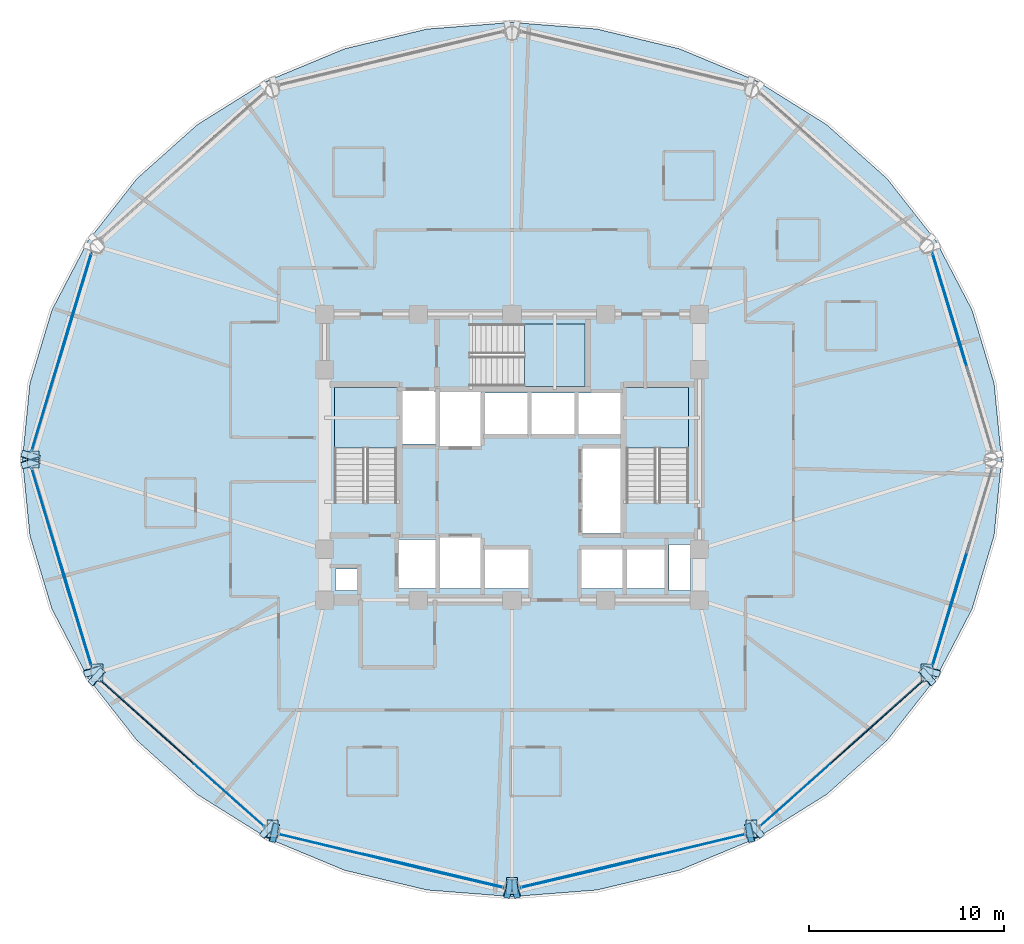
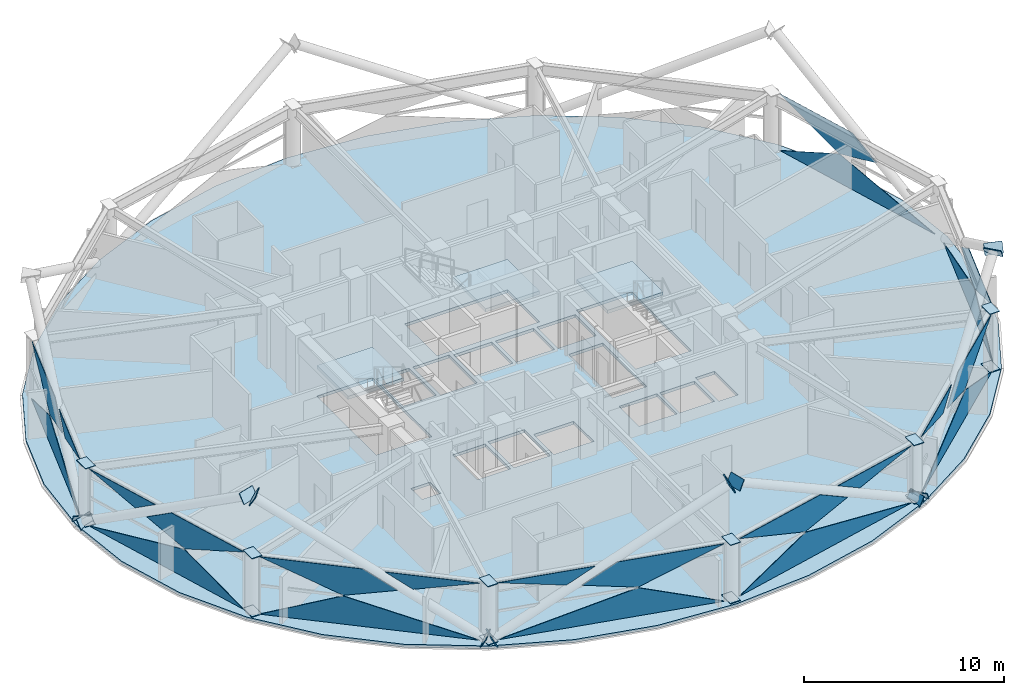
# One storey, part 20 of 29: 46 plates, 4 slabs, 11 elements without a shape of their own.
"""IFC4 building model written with IfcOpenShell, lengths in metres."""

from ifc_helpers import new_model, si_unit, direction, frame, origin, place, context, subcontext, project, spatial, polyline, outline, extrude, material, layer, layer_set, type_object, element, aggregate, save


model = new_model("IFC4")

# Units and contexts
model_context = context("Model", 3, precision=1e-05, world=origin(), true_north=direction((0.0, 1.0)))
body_context = subcontext(model_context, "Body", "Model", "MODEL_VIEW")
ifc_project = project(units=[si_unit("LENGTHUNIT", "METRE"), si_unit("AREAUNIT", "SQUARE_METRE"), si_unit("VOLUMEUNIT", "CUBIC_METRE"), si_unit("PLANEANGLEUNIT", "RADIAN"), si_unit("MASSUNIT", "GRAM", prefix="KILO")], contexts=[model_context])

# Site, building, storey
site_placement = place(None, origin())
site = spatial("IfcSite", under=ifc_project, at=site_placement, CompositionType="ELEMENT")
building_placement = place(site_placement, origin())
building = spatial("IfcBuilding", under=site, at=building_placement, Name="Vantalir Tower", CompositionType="ELEMENT")
storey_placement = place(building_placement, frame((0.0, 0.0, 164.699951171875)))
storey = spatial("IfcBuildingStorey", under=building, at=storey_placement, Name="L41", CompositionType="ELEMENT", Elevation=164.699951171875)

# Curtain wall, plates
ifc_material_1 = material(Name="Champagne-silver PVDF aluminium and double-silver Low-E glass", Category="aluminium")
ifc_layer_1 = layer(ifc_material_1, 0.199951171875)
ifc_layer_set_1 = layer_set([ifc_layer_1], Name="Champagne-silver PVDF aluminium and double-silver Low-E glass")
curtain_wall_type = type_object("IfcCurtainWallType", Name="CW-DIAMOND-Z2", PredefinedType="USERDEFINED", material=ifc_layer_set_1)
curtain_wall_1_placement = place(storey_placement, origin())
curtain_wall_1 = element("IfcCurtainWall", 1, at=curtain_wall_1_placement, inside=storey, type_object=curtain_wall_type, Name="L41 Quilted Pyramid-Diamond Curtain Wall S01", ObjectType="UNITISED CURTAIN WALL", PredefinedType="USERDEFINED")
ifc_material_2 = material(Name="Double-silver Low-E laminated glass IGU", Category="glass")
ifc_layer_2 = layer(ifc_material_2, 0.028076171875)
ifc_layer_set_2 = layer_set([ifc_layer_2], Name="Double-silver Low-E laminated glass IGU")
plate_type_1 = type_object("IfcPlateType", Name="CWP-IGU-28", PredefinedType="CURTAIN_PANEL", material=ifc_layer_set_2)
plate_1_placement = place(storey_placement, frame((56.094970703125, 25.435546875, 0.046630859375), z_axis=(-0.9575616815, -0.287895447824, 0.013850532299), x_axis=(-0.287922760632, 0.957653634348, 2.303935e-05)))
plate_1 = element("IfcPlate", 2, at=plate_1_placement, type_object=plate_type_1, Name="CW-L41-S01 Pyramid Diamond Facet 1L", PredefinedType="CURTAIN_PANEL", context=body_context, shape_type="SweptSolid", body=[
    extrude(outline(polyline([(0.0, 0.0), (10.596680109363113, 4.336808689942018e-19), (6.564597551458206, -1.7263327111685152), (0.0, 0.0)])), origin(), (0.0, 0.0, -1.0), 0.028076171875),
])
plate_2_placement = place(storey_placement, frame((54.4775390625, 30.815673828125, 3.5234375), z_axis=(0.957559378683, 0.287906250177, 0.013785042783), x_axis=(-0.287932963869, 0.957650565672, -4.8847004e-05)))
plate_2 = element("IfcPlate", 3, at=plate_2_placement, type_object=plate_type_1, Name="CW-L41-S01 Pyramid Diamond Facet 2U", PredefinedType="CURTAIN_PANEL", context=body_context, shape_type="SweptSolid", body=[
    extrude(outline(polyline([(0.0, 0.0), (4.978686599045658, 2.168404344971009e-19), (0.9466483362744519, -1.7264361633851297), (-1.6687180339326448, -1.0387534856673015), (0.0, 0.0)])), origin(), (0.0, 0.0, -1.0), 0.028076171875),
])
aggregate(curtain_wall_1, [plate_1, plate_2])

curtain_wall_2_placement = place(storey_placement, origin())
curtain_wall_2 = element("IfcCurtainWall", 4, at=curtain_wall_2_placement, inside=storey, type_object=curtain_wall_type, Name="L41 Quilted Pyramid-Diamond Curtain Wall S06", ObjectType="UNITISED CURTAIN WALL", PredefinedType="USERDEFINED")
plate_3_placement = place(storey_placement, frame((9.9560546875, 35.58349609375, 0.046875), z_axis=(0.9575616815, -0.287895447824, 0.013850532299), x_axis=(-0.287922760632, -0.957653634348, -2.303935e-05)))
plate_3 = element("IfcPlate", 5, at=plate_3_placement, type_object=plate_type_1, Name="CW-L41-S06 Pyramid Diamond Facet 1L", PredefinedType="CURTAIN_PANEL", context=body_context, shape_type="SweptSolid", body=[
    extrude(outline(polyline([(0.0, 0.0), (10.596680109363113, -4.336808689942018e-19), (4.032082557904906, -1.7263327111685152), (0.0, 0.0)])), origin(), (0.0, 0.0, -1.0), 0.028076171875),
])
plate_4_placement = place(storey_placement, frame((9.9560546875, 35.58349609375, 3.523193359375), z_axis=(-0.957559378683, 0.287906250177, 0.013785042783), x_axis=(-0.287932963869, -0.957650565672, 4.8847004e-05)))
plate_4 = element("IfcPlate", 6, at=plate_4_placement, type_object=plate_type_1, Name="CW-L41-S06 Pyramid Diamond Facet 2U", PredefinedType="CURTAIN_PANEL", context=body_context, shape_type="SweptSolid", body=[
    extrude(outline(polyline([(0.0, 0.0), (4.978686599045658, -2.168404344971009e-19), (6.647404632978303, -1.0387534856673015), (4.032038262771207, -1.7264361633851297), (0.0, 0.0)])), origin(), (0.0, 0.0, -1.0), 0.028076171875),
])
plate_5_placement = place(storey_placement, frame((8.181396484375, 29.7919921875, 3.52392578125), z_axis=(-0.9575541234, 0.28792231701, 0.013814489769), x_axis=(-0.287949794509, -0.957645506355, 0.0)))
plate_5 = element("IfcPlate", 7, at=plate_5_placement, type_object=plate_type_1, Name="CW-L41-S06 Pyramid Diamond Facet 2U Infill Light", PredefinedType="CURTAIN_PANEL", context=body_context, shape_type="SweptSolid", body=[
    extrude(outline(polyline([(0.0, 0.0), (4.539433370595973, 3.469446951953614e-18), (1.3485409070670233, -0.8391914076434289), (0.0, 0.0)])), origin(), (0.0, 0.0, -1.0), 0.028076171875),
])
aggregate(curtain_wall_2, [plate_3, plate_4, plate_5])

curtain_wall_3_placement = place(storey_placement, origin())
curtain_wall_3 = element("IfcCurtainWall", 8, at=curtain_wall_3_placement, inside=storey, type_object=curtain_wall_type, Name="L41 Quilted Pyramid-Diamond Curtain Wall S07", ObjectType="UNITISED CURTAIN WALL", PredefinedType="USERDEFINED")
plate_6_placement = place(storey_placement, frame((6.905029296875, 24.564453125, 0.046630859375), z_axis=(0.9575616815, 0.287895447824, 0.013850532299), x_axis=(0.287922760632, -0.957653634348, 2.303935e-05)))
plate_6 = element("IfcPlate", 9, at=plate_6_placement, type_object=plate_type_1, Name="CW-L41-S07 Pyramid Diamond Facet 1L", PredefinedType="CURTAIN_PANEL", context=body_context, shape_type="SweptSolid", body=[
    extrude(outline(polyline([(0.0, 0.0), (10.596680109363113, 4.336808689942018e-19), (6.564597551458206, -1.7263327111685152), (0.0, 0.0)])), origin(), (0.0, 0.0, -1.0), 0.028076171875),
])
plate_7_placement = place(storey_placement, frame((8.5224609375, 19.184326171875, 3.5234375), z_axis=(-0.957559378683, -0.287906250177, 0.013785042783), x_axis=(0.287932963869, -0.957650565672, -4.8847004e-05)))
plate_7 = element("IfcPlate", 10, at=plate_7_placement, type_object=plate_type_1, Name="CW-L41-S07 Pyramid Diamond Facet 2U", PredefinedType="CURTAIN_PANEL", context=body_context, shape_type="SweptSolid", body=[
    extrude(outline(polyline([(0.0, 0.0), (4.978686599045658, 2.168404344971009e-19), (0.9466483362744519, -1.7264361633851297), (-1.6687180339326448, -1.0387534856673015), (0.0, 0.0)])), origin(), (0.0, 0.0, -1.0), 0.028076171875),
])
plate_8_placement = place(storey_placement, frame((6.874267578125, 24.55517578125, 3.52392578125), z_axis=(-0.9575541234, -0.28792231701, 0.013814489769), x_axis=(0.287949794509, -0.957645506355, 0.0)))
plate_8 = element("IfcPlate", 11, at=plate_8_placement, type_object=plate_type_1, Name="CW-L41-S07 Pyramid Diamond Facet 2U Infill Light", PredefinedType="CURTAIN_PANEL", context=body_context, shape_type="SweptSolid", body=[
    extrude(outline(polyline([(0.0, 0.0), (4.539433370595973, -3.469446951953614e-18), (3.1908924635289506, -0.8391914076434289), (0.0, 0.0)])), origin(), (0.0, 0.0, -1.0), 0.028076171875),
])
aggregate(curtain_wall_3, [plate_6, plate_7, plate_8])

curtain_wall_4_placement = place(storey_placement, origin())
curtain_wall_4 = element("IfcCurtainWall", 12, at=curtain_wall_4_placement, inside=storey, type_object=curtain_wall_type, Name="L41 Quilted Pyramid-Diamond Curtain Wall S08", ObjectType="UNITISED CURTAIN WALL", PredefinedType="USERDEFINED")
plate_9_placement = place(storey_placement, frame((10.426513671875, 13.67822265625, 0.046630859375), z_axis=(0.66528334126, 0.746467581282, 0.013572985559), x_axis=(0.746536546597, -0.665344410153, -2.1773166e-05)))
plate_9 = element("IfcPlate", 13, at=plate_9_placement, type_object=plate_type_1, Name="CW-L41-S08 Pyramid Diamond Facet 1L", PredefinedType="CURTAIN_PANEL", context=body_context, shape_type="SweptSolid", body=[
    extrude(outline(polyline([(0.0, 0.0), (11.212913349702017, -2.439454888092385e-18), (4.262443968601762, -1.726814376634722), (0.0, 0.0)])), origin(), (0.0, 0.0, -1.0), 0.028076171875),
])
plate_10_placement = place(storey_placement, frame((10.426513671875, 13.67822265625, 3.5234375), z_axis=(-0.665284746935, -0.746466358642, 0.013571326833), x_axis=(0.746535110684, -0.665346021643, 1.3054e-08)))
plate_10 = element("IfcPlate", 14, at=plate_10_placement, type_object=plate_type_1, Name="CW-L41-S08 Pyramid Diamond Facet 2U", PredefinedType="CURTAIN_PANEL", context=body_context, shape_type="SweptSolid", body=[
    extrude(outline(polyline([(0.0, 0.0), (5.2773055577089405, -6.938893903907228e-18), (7.0349053178942125, -1.0379374772433476), (4.262481590385309, -1.7267215086465038), (0.0, 0.0)])), origin(), (0.0, 0.0, -1.0), 0.028076171875),
])
plate_11_placement = place(storey_placement, frame((15.181640625, 9.3974609375, 3.52392578125), z_axis=(-0.665290625573, -0.746460928096, 0.013581839025), x_axis=(0.746530243373, -0.665351480917, 5.0705036e-05)))
plate_11 = element("IfcPlate", 15, at=plate_11_placement, type_object=plate_type_1, Name="CW-L41-S08 Pyramid Diamond Facet 2U Infill Light", PredefinedType="CURTAIN_PANEL", context=body_context, shape_type="SweptSolid", body=[
    extrude(outline(polyline([(0.0, 0.0), (4.8149186905465395, -3.2526065174565133e-18), (1.4258783567562363, -0.8419468343074633), (0.0, 0.0)])), origin(), (0.0, 0.0, -1.0), 0.028076171875),
])
aggregate(curtain_wall_4, [plate_9, plate_10, plate_11])

curtain_wall_5_placement = place(storey_placement, origin())
curtain_wall_5 = element("IfcCurtainWall", 16, at=curtain_wall_5_placement, inside=storey, type_object=curtain_wall_type, Name="L41 Quilted Pyramid-Diamond Curtain Wall S09", ObjectType="UNITISED CURTAIN WALL", PredefinedType="USERDEFINED")
plate_12_placement = place(storey_placement, frame((19.57958984375, 5.809326171875, 0.04638671875), z_axis=(0.23230664028, 0.972544806616, 0.013792171923), x_axis=(0.972637253993, -0.232329016088, 2.0688247e-05)))
plate_12 = element("IfcPlate", 17, at=plate_12_placement, type_object=plate_type_1, Name="CW-L41-S09 Pyramid Diamond Facet 1L", PredefinedType="CURTAIN_PANEL", context=body_context, shape_type="SweptSolid", body=[
    extrude(outline(polyline([(0.0, 0.0), (11.80093328383699, 3.63207727782644e-18), (7.310838030536996, -1.727063805505865), (0.0, 0.0)])), origin(), (0.0, 0.0, -1.0), 0.028076171875),
])
plate_13_placement = place(storey_placement, frame((25.646728515625, 4.360107421875, 3.523681640625), z_axis=(-0.232307073928, -0.972544654248, 0.013795611507), x_axis=(0.972637072633, -0.232329772121, -4.3895257e-05)))
plate_13 = element("IfcPlate", 18, at=plate_13_placement, type_object=plate_type_1, Name="CW-L41-S09 Pyramid Diamond Facet 2U", PredefinedType="CURTAIN_PANEL", context=body_context, shape_type="SweptSolid", body=[
    extrude(outline(polyline([(0.0, 0.0), (5.563112621645812, -1.4907779871675686e-18), (1.0730574642507675, -1.7271680449598936), (-1.8432050595736666, -1.038265705588733), (0.0, 0.0)])), origin(), (0.0, 0.0, -1.0), 0.028076171875),
])
plate_14_placement = place(storey_placement, frame((19.572021484375, 5.778076171875, 3.524169921875), z_axis=(-0.232273422085, -0.972551685024, 0.01386641082), x_axis=(0.972645042347, -0.232296403945, -4.8074587e-05)))
plate_14 = element("IfcPlate", 19, at=plate_14_placement, type_object=plate_type_1, Name="CW-L41-S09 Pyramid Diamond Facet 2U Infill Light", PredefinedType="CURTAIN_PANEL", context=body_context, shape_type="SweptSolid", body=[
    extrude(outline(polyline([(0.0, 0.0), (5.078371769704653, 1.81603863891322e-18), (3.5779308257784908, -0.8451240901960686), (0.0, 0.0)])), origin(), (0.0, 0.0, -1.0), 0.028076171875),
])
aggregate(curtain_wall_5, [plate_12, plate_13, plate_14])

curtain_wall_6_placement = place(storey_placement, origin())
curtain_wall_6 = element("IfcCurtainWall", 20, at=curtain_wall_6_placement, inside=storey, type_object=curtain_wall_type, Name="L41 Quilted Pyramid-Diamond Curtain Wall S10", ObjectType="UNITISED CURTAIN WALL", PredefinedType="USERDEFINED")
plate_15_placement = place(storey_placement, frame((31.9423828125, 3.067626953125, 0.046630859375), z_axis=(-0.23230664028, 0.972544806616, 0.013792171923), x_axis=(0.972637253993, 0.232329016088, -2.0688247e-05)))
plate_15 = element("IfcPlate", 21, at=plate_15_placement, type_object=plate_type_1, Name="CW-L41-S10 Pyramid Diamond Facet 1L", PredefinedType="CURTAIN_PANEL", context=body_context, shape_type="SweptSolid", body=[
    extrude(outline(polyline([(0.0, 0.0), (11.80093328383699, -3.63207727782644e-18), (4.4900952532999945, -1.7270638055058651), (0.0, 0.0)])), origin(), (0.0, 0.0, -1.0), 0.028076171875),
])
plate_16_placement = place(storey_placement, frame((31.9423828125, 3.067626953125, 3.5234375), z_axis=(0.232307073928, -0.972544654248, 0.013795611507), x_axis=(0.972637072633, 0.232329772121, 4.3895257e-05)))
plate_16 = element("IfcPlate", 22, at=plate_16_placement, type_object=plate_type_1, Name="CW-L41-S10 Pyramid Diamond Facet 2U", PredefinedType="CURTAIN_PANEL", context=body_context, shape_type="SweptSolid", body=[
    extrude(outline(polyline([(0.0, 0.0), (5.563112621645812, 1.4907779871675686e-18), (7.4063176812194795, -1.038265705588733), (4.490055157395045, -1.7271680449598936), (0.0, 0.0)])), origin(), (0.0, 0.0, -1.0), 0.028076171875),
])
plate_17_placement = place(storey_placement, frame((38.488525390625, 4.598388671875, 3.52392578125), z_axis=(0.232273422085, -0.972551685024, 0.01386641082), x_axis=(0.972645042347, 0.232296403945, 4.8074587e-05)))
plate_17 = element("IfcPlate", 23, at=plate_17_placement, type_object=plate_type_1, Name="CW-L41-S10 Pyramid Diamond Facet 2U Infill Light", PredefinedType="CURTAIN_PANEL", context=body_context, shape_type="SweptSolid", body=[
    extrude(outline(polyline([(0.0, 0.0), (5.078371769704653, -1.81603863891322e-18), (1.5004409439261621, -0.8451240901960685), (0.0, 0.0)])), origin(), (0.0, 0.0, -1.0), 0.028076171875),
])
aggregate(curtain_wall_6, [plate_15, plate_16, plate_17])

curtain_wall_7_placement = place(storey_placement, origin())
curtain_wall_7 = element("IfcCurtainWall", 24, at=curtain_wall_7_placement, inside=storey, type_object=curtain_wall_type, Name="L41 Quilted Pyramid-Diamond Curtain Wall S11", ObjectType="UNITISED CURTAIN WALL", PredefinedType="USERDEFINED")
plate_18_placement = place(storey_placement, frame((44.20263671875, 6.2177734375, 0.04638671875), z_axis=(-0.66528334126, 0.746467581282, 0.013572985559), x_axis=(0.746536546597, 0.665344410153, 2.1773166e-05)))
plate_18 = element("IfcPlate", 25, at=plate_18_placement, type_object=plate_type_1, Name="CW-L41-S11 Pyramid Diamond Facet 1L", PredefinedType="CURTAIN_PANEL", context=body_context, shape_type="SweptSolid", body=[
    extrude(outline(polyline([(0.0, 0.0), (11.212913349702017, 2.439454888092385e-18), (6.950469381100256, -1.726814376634722), (0.0, 0.0)])), origin(), (0.0, 0.0, -1.0), 0.028076171875),
])
plate_19_placement = place(storey_placement, frame((48.6337890625, 10.1669921875, 3.5234375), z_axis=(0.665284746935, -0.746466358642, 0.013571326833), x_axis=(0.746535110684, 0.665346021643, -1.3054e-08)))
plate_19 = element("IfcPlate", 26, at=plate_19_placement, type_object=plate_type_1, Name="CW-L41-S11 Pyramid Diamond Facet 2U", PredefinedType="CURTAIN_PANEL", context=body_context, shape_type="SweptSolid", body=[
    extrude(outline(polyline([(0.0, 0.0), (5.2773055577089405, 6.938893903907228e-18), (1.0148239673236321, -1.7267215086465038), (-1.7575997601852713, -1.0379374772433476), (0.0, 0.0)])), origin(), (0.0, 0.0, -1.0), 0.028076171875),
])
plate_20_placement = place(storey_placement, frame((44.223876953125, 6.19384765625, 3.524169921875), z_axis=(0.665290625573, -0.746460928096, 0.013581839025), x_axis=(0.746530243373, 0.665351480917, -5.0705036e-05)))
plate_20 = element("IfcPlate", 27, at=plate_20_placement, type_object=plate_type_1, Name="CW-L41-S11 Pyramid Diamond Facet 2U Infill Light", PredefinedType="CURTAIN_PANEL", context=body_context, shape_type="SweptSolid", body=[
    extrude(outline(polyline([(0.0, 0.0), (4.8149186905465395, 3.2526065174565133e-18), (3.3890403337903034, -0.8419468343074633), (0.0, 0.0)])), origin(), (0.0, 0.0, -1.0), 0.028076171875),
])
aggregate(curtain_wall_7, [plate_18, plate_19, plate_20])

curtain_wall_8_placement = place(storey_placement, origin())
curtain_wall_8 = element("IfcCurtainWall", 28, at=curtain_wall_8_placement, inside=storey, type_object=curtain_wall_type, Name="L41 Quilted Pyramid-Diamond Curtain Wall S12", ObjectType="UNITISED CURTAIN WALL", PredefinedType="USERDEFINED")
plate_21_placement = place(storey_placement, frame((53.0439453125, 14.41650390625, 0.046875), z_axis=(-0.9575616815, 0.287895447824, 0.013850532299), x_axis=(0.287922760632, 0.957653634348, -2.303935e-05)))
plate_21 = element("IfcPlate", 29, at=plate_21_placement, type_object=plate_type_1, Name="CW-L41-S12 Pyramid Diamond Facet 1L", PredefinedType="CURTAIN_PANEL", context=body_context, shape_type="SweptSolid", body=[
    extrude(outline(polyline([(0.0, 0.0), (10.596680109363113, -4.336808689942018e-19), (4.032082557904906, -1.7263327111685152), (0.0, 0.0)])), origin(), (0.0, 0.0, -1.0), 0.028076171875),
])
plate_22_placement = place(storey_placement, frame((53.0439453125, 14.41650390625, 3.523193359375), z_axis=(0.957559378683, -0.287906250177, 0.013785042783), x_axis=(0.287932963869, 0.957650565672, 4.8847004e-05)))
plate_22 = element("IfcPlate", 30, at=plate_22_placement, type_object=plate_type_1, Name="CW-L41-S12 Pyramid Diamond Facet 2U", PredefinedType="CURTAIN_PANEL", context=body_context, shape_type="SweptSolid", body=[
    extrude(outline(polyline([(0.0, 0.0), (4.978686599045658, -2.168404344971009e-19), (6.647404632978303, -1.0387534856673015), (4.032038262771207, -1.7264361633851297), (0.0, 0.0)])), origin(), (0.0, 0.0, -1.0), 0.028076171875),
])
aggregate(curtain_wall_8, [plate_21, plate_22])

# Plates
ifc_material_3 = material(Name="Steel S460", Category="steel")
ifc_layer_3 = layer(ifc_material_3, 0.0400390625)
ifc_layer_set_3 = layer_set([ifc_layer_3], Name="Steel S460")
plate_type_2 = type_object("IfcPlateType", Name="PLT-KN-Z1", PredefinedType="USERDEFINED", material=ifc_layer_set_3)
plate_23_placement = place(storey_placement, frame((52.45703125, 14.11376953125, 6.87744140625), z_axis=(-0.244404262537, -0.813080609117, 0.528362072382), x_axis=(0.957670515675, -0.287866606966, 0.0)))
element("IfcPlate", 31, at=plate_23_placement, inside=storey, type_object=plate_type_2, Name="Node Cap Plate MEM-DG-L41-R01R End", ObjectType="FLANGE_PLATE", PredefinedType="USERDEFINED", context=body_context, shape_type="SweptSolid", body=[
    extrude(outline(polyline([(0.0, 0.0), (0.9498757180684223, 0.0), (0.9498152271257964, 0.6199709232211656), (-6.0490942625959776e-05, 0.6199709232211656), (0.0, 0.0)])), origin(), (0.0, 0.0, -1.0), 0.0400390625),
])
plate_24_placement = place(storey_placement, frame((6.422119140625, 24.52099609375, -0.062744140625), z_axis=(0.244366868744, -0.813065300334, 0.528402924721), x_axis=(0.957678190256, 0.287841073569, 1.6593989e-05)))
element("IfcPlate", 32, at=plate_24_placement, inside=storey, type_object=plate_type_2, Name="Node Cap Plate MEM-DG-L41-R19L Start", ObjectType="FLANGE_PLATE", PredefinedType="USERDEFINED", context=body_context, shape_type="SweptSolid", body=[
    extrude(outline(polyline([(0.0, 0.0), (0.949875717600032, 0.0), (0.9499362094794686, 0.6199709225034394), (-0.00017331627248131672, 0.6200080586257846), (0.0, 0.0)])), origin(), (0.0, 0.0, -1.0), 0.0400390625),
])
plate_25_placement = place(storey_placement, frame((9.63330078125, 13.84033203125, 6.87744140625), z_axis=(0.244404262537, -0.813080609117, 0.528362072382), x_axis=(0.957670515675, 0.287866606966, 0.0)))
element("IfcPlate", 33, at=plate_25_placement, inside=storey, type_object=plate_type_2, Name="Node Cap Plate MEM-DG-L41-R19L End", ObjectType="FLANGE_PLATE", PredefinedType="USERDEFINED", context=body_context, shape_type="SweptSolid", body=[
    extrude(outline(polyline([(0.0, 0.0), (0.9498757180684223, 0.0), (0.9499362090110482, 0.6199709232211656), (6.0490942625959776e-05, 0.6199709232211656), (0.0, 0.0)])), origin(), (0.0, 0.0, -1.0), 0.0400390625),
])
plate_26_placement = place(storey_placement, frame((7.331787109375, 25.20556640625, -0.062744140625), z_axis=(0.244366868744, 0.813065300334, 0.528402924721), x_axis=(-0.957678190256, 0.287841073569, -1.6593989e-05)))
element("IfcPlate", 34, at=plate_26_placement, inside=storey, type_object=plate_type_2, Name="Node Cap Plate MEM-DG-L41-R19R Start", ObjectType="FLANGE_PLATE", PredefinedType="USERDEFINED", context=body_context, shape_type="SweptSolid", body=[
    extrude(outline(polyline([(0.0, 0.0), (0.949875717600032, 0.0), (0.9500490338725133, 0.6200080586257846), (-6.049187943658024e-05, 0.6199709225034395), (0.0, 0.0)])), origin(), (0.0, 0.0, -1.0), 0.0400390625),
])
plate_27_placement = place(storey_placement, frame((19.367919921875, 5.37158203125, -0.078125), z_axis=(0.847356739208, -0.202407317279, 0.490935672396), x_axis=(0.232339744414, 0.972634691445, -1.277077e-05)))
element("IfcPlate", 35, at=plate_27_placement, inside=storey, type_object=plate_type_2, Name="Node Cap Plate MEM-DG-L41-R25L Start", ObjectType="FLANGE_PLATE", PredefinedType="USERDEFINED", context=body_context, shape_type="SweptSolid", body=[
    extrude(outline(polyline([(0.0, 0.0), (0.9498253909615704, 1.3877787807814457e-17), (0.9498760962426865, 0.6201766793435843), (-0.00018675436034987924, 0.6201488290774598), (0.0, 0.0)])), origin(), (0.0, 0.0, -1.0), 0.0400390625),
])
plate_28_placement = place(storey_placement, frame((31.37841796875, 2.502685546875, 6.877685546875), z_axis=(0.847356739208, -0.202407317279, 0.490935672396), x_axis=(0.232325746861, 0.972638035028, 1.2767578e-05)))
element("IfcPlate", 36, at=plate_28_placement, inside=storey, type_object=plate_type_2, Name="Node Cap Plate MEM-DG-L41-R25L End", ObjectType="FLANGE_PLATE", PredefinedType="USERDEFINED", context=body_context, shape_type="SweptSolid", body=[
    extrude(outline(polyline([(0.0, 0.0), (0.9500628510112396, 0.0), (0.9498942757744965, 0.6201488342855489), (6.888522102741793e-05, 0.6201766775907386), (0.0, 0.0)])), origin(), (0.0, 0.0, -1.0), 0.0400390625),
])
for number, where, z_axis, x_axis, name in (
    (37, (19.188720703125, 6.505126953125, -0.071044921875), (-0.642864288433, 0.572934816782, 0.508400631763), (-0.665336277327, -0.746543795147, 0.0), "Node Cap Plate MEM-DG-L41-R25R Start"),
    (38, (10.40625, 14.332763671875, 6.87744140625), (-0.642864288433, 0.572934816782, 0.508400631763), (-0.665336277327, -0.746543795147, 0.0), "Node Cap Plate MEM-DG-L41-R25R End"),
):
    element("IfcPlate", number, at=place(storey_placement, frame(where, z_axis=z_axis, x_axis=x_axis)), inside=storey, type_object=plate_type_2, Name=name, ObjectType="FLANGE_PLATE", PredefinedType="USERDEFINED", context=body_context, shape_type="SweptSolid", body=[
        extrude(outline(polyline([(0.0, 0.0), (0.9500159538334854, -2.7755575615628914e-17), (0.9499907948217251, 0.6200473050069897), (-2.5159011760256256e-05, 0.6200473050069897), (0.0, 0.0)])), origin(), (0.0, 0.0, -1.0), 0.0400390625),
    ])
for number, where, z_axis, x_axis, name in (
    (39, (44.443359375, 5.7958984375, -0.071044921875), (0.642864288433, 0.572934816782, 0.508400631763), (-0.665336277327, 0.746543795147, 0.0), "Node Cap Plate MEM-DG-L41-R31L Start"),
    (40, (53.225830078125, 13.62353515625, 6.87744140625), (0.642864288433, 0.572934816782, 0.508400631763), (-0.665336277327, 0.746543795147, 0.0), "Node Cap Plate MEM-DG-L41-R31L End"),
):
    element("IfcPlate", number, at=place(storey_placement, frame(where, z_axis=z_axis, x_axis=x_axis)), inside=storey, type_object=plate_type_2, Name=name, ObjectType="FLANGE_PLATE", PredefinedType="USERDEFINED", context=body_context, shape_type="SweptSolid", body=[
        extrude(outline(polyline([(0.0, 0.0), (0.9500159538334854, 2.7755575615628914e-17), (0.9500411128452457, 0.6200473050069897), (2.5159011760256256e-05, 0.6200473050069897), (0.0, 0.0)])), origin(), (0.0, 0.0, -1.0), 0.0400390625),
    ])
plate_29_placement = place(storey_placement, frame((43.411376953125, 6.29541015625, -0.078125), z_axis=(-0.847356739208, -0.202407317279, 0.490935672396), x_axis=(0.232339744414, -0.972634691445, 1.277077e-05)))
element("IfcPlate", 41, at=plate_29_placement, inside=storey, type_object=plate_type_2, Name="Node Cap Plate MEM-DG-L41-R31R Start", ObjectType="FLANGE_PLATE", PredefinedType="USERDEFINED", context=body_context, shape_type="SweptSolid", body=[
    extrude(outline(polyline([(0.0, 0.0), (0.9498253909615704, -1.3877787807814457e-17), (0.9500121453219201, 0.6201488290774599), (-5.070528111623251e-05, 0.6201766793435843), (0.0, 0.0)])), origin(), (0.0, 0.0, -1.0), 0.0400390625),
])
plate_30_placement = place(storey_placement, frame((31.40087890625, 3.4267578125, 6.877685546875), z_axis=(-0.847356739208, -0.202407317279, 0.490935672396), x_axis=(0.232325746861, -0.972638035028, -1.2767578e-05)))
element("IfcPlate", 42, at=plate_30_placement, inside=storey, type_object=plate_type_2, Name="Node Cap Plate MEM-DG-L41-R31R End", ObjectType="FLANGE_PLATE", PredefinedType="USERDEFINED", context=body_context, shape_type="SweptSolid", body=[
    extrude(outline(polyline([(0.0, 0.0), (0.9500628510112396, 0.0), (0.949993965790212, 0.6201766775907386), (0.00016857523674299575, 0.6201488342855489), (0.0, 0.0)])), origin(), (0.0, 0.0, -1.0), 0.0400390625),
])
ifc_layer_4 = layer(ifc_material_3, 0.035888671875)
ifc_layer_set_4 = layer_set([ifc_layer_4], Name="Steel S460")
plate_type_3 = type_object("IfcPlateType", Name="PLT-KN-Z2", PredefinedType="USERDEFINED", material=ifc_layer_set_4)
for number, where, z_axis, x_axis, name in (
    (43, (6.674072265625, 25.43994140625, 3.59814453125), (0.0, 0.0, 1.0), (0.0, -1.0, 0.0), "L41 Ring Column Top Cap RC07"),
    (44, (6.674072265625, 25.43994140625, 0.052978515625), (0.0, 0.0, 1.0), (0.0, -1.0, 0.0), "L41 Ring Column Base Cap RC07"),
):
    element("IfcPlate", number, at=place(storey_placement, frame(where, z_axis=z_axis, x_axis=x_axis)), inside=storey, type_object=plate_type_3, Name=name, ObjectType="FLANGE_PLATE", PredefinedType="USERDEFINED", context=body_context, shape_type="SweptSolid", body=[
        extrude(outline(polyline([(0.0, 0.0), (0.8798828125, 0.0), (0.8798828125, 0.579833984375), (0.0, 0.579833984375), (0.0, 0.0)])), origin(), (0.0, 0.0, -1.0), 0.035888671875),
    ])
for number, where, z_axis, x_axis, name in (
    (45, (9.9609375, 14.51611328125, 3.59814453125), (0.0, 0.0, 1.0), (0.0, -1.0, 0.0), "L41 Ring Column Top Cap RC08"),
    (46, (9.9609375, 14.51611328125, 0.052978515625), (0.0, 0.0, 1.0), (0.0, -1.0, 0.0), "L41 Ring Column Base Cap RC08"),
    (47, (18.94189453125, 6.51904296875, 3.59814453125), (0.0, 0.0, 1.0), (0.0, -1.0, 0.0), "L41 Ring Column Top Cap RC09"),
    (48, (18.94189453125, 6.51904296875, 0.052978515625), (0.0, 0.0, 1.0), (0.0, -1.0, 0.0), "L41 Ring Column Base Cap RC09"),
    (49, (31.2099609375, 3.592041015625, 3.59814453125), (0.0, 0.0, 1.0), (0.0, -1.0, 0.0), "L41 Ring Column Top Cap RC10"),
    (50, (31.2099609375, 3.592041015625, 0.052978515625), (0.0, 0.0, 1.0), (0.0, -1.0, 0.0), "L41 Ring Column Base Cap RC10"),
    (51, (43.47802734375, 6.51904296875, 3.59814453125), (0.0, 0.0, 1.0), (0.0, -1.0, 0.0), "L41 Ring Column Top Cap RC11"),
    (52, (43.47802734375, 6.51904296875, 0.052978515625), (0.0, 0.0, 1.0), (0.0, -1.0, 0.0), "L41 Ring Column Base Cap RC11"),
    (53, (52.458984375, 14.51611328125, 3.59814453125), (0.0, 0.0, 1.0), (0.0, -1.0, 0.0), "L41 Ring Column Top Cap RC12"),
    (54, (52.458984375, 14.51611328125, 0.052978515625), (0.0, 0.0, 1.0), (0.0, -1.0, 0.0), "L41 Ring Column Base Cap RC12"),
):
    element("IfcPlate", number, at=place(storey_placement, frame(where, z_axis=z_axis, x_axis=x_axis)), inside=storey, type_object=plate_type_3, Name=name, ObjectType="FLANGE_PLATE", PredefinedType="USERDEFINED", context=body_context, shape_type="SweptSolid", body=[
        extrude(outline(polyline([(0.0, 0.0), (0.880126953125, 0.0), (0.880126953125, 0.580078125), (0.0, 0.580078125), (0.0, 0.0)])), origin(), (0.0, 0.0, -1.0), 0.035888671875),
    ])

# Stair, slab
ifc_material_4 = material(Name="Concrete C40/50", Category="concrete")
stair_type = type_object("IfcStairType", Name="STR-CORE-1450", PredefinedType="HALF_TURN_STAIR", material=ifc_material_4)
stair_1_placement = place(storey_placement, origin())
stair_1 = element("IfcStair", 55, at=stair_1_placement, inside=storey, type_object=stair_type, Name="L41 Core Exit Stair 1", PredefinedType="HALF_TURN_STAIR")
ifc_layer_5 = layer(ifc_material_4, 0.199951171875)
ifc_layer_set_5 = layer_set([ifc_layer_5], Name="Concrete C40/50")
slab_type_1 = type_object("IfcSlabType", Name="SL-LAND-200", PredefinedType="LANDING", material=ifc_layer_set_5)
slab_1_placement = place(storey_placement, frame((0.0, 0.0, 1.675048828125)))
slab_1 = element("IfcSlab", 56, at=slab_1_placement, type_object=slab_type_1, Name="ST1 landing 1", PredefinedType="LANDING", context=body_context, shape_type="SweptSolid", body=[
    extrude(outline(polyline([(25.60009765625, 25.590087890625), (25.60009765625, 28.699951171875), (22.39990234375, 28.699951171875), (22.39990234375, 25.590087890625), (25.60009765625, 25.590087890625)])), origin(), (0.0, 0.0, 1.0), 0.199951171875),
])
aggregate(stair_1, [slab_1])

stair_2_placement = place(storey_placement, origin())
stair_2 = element("IfcStair", 57, at=stair_2_placement, inside=storey, type_object=stair_type, Name="L41 Core Exit Stair 2", PredefinedType="HALF_TURN_STAIR")
slab_2_placement = place(storey_placement, frame((0.0, 0.0, 1.675048828125)))
slab_2 = element("IfcSlab", 58, at=slab_2_placement, type_object=slab_type_1, Name="ST2 landing 1", PredefinedType="LANDING", context=body_context, shape_type="SweptSolid", body=[
    extrude(outline(polyline([(40.550048828125, 25.590087890625), (40.550048828125, 28.699951171875), (37.35009765625, 28.699951171875), (37.35009765625, 25.590087890625), (40.550048828125, 25.590087890625)])), origin(), (0.0, 0.0, 1.0), 0.199951171875),
])
aggregate(stair_2, [slab_2])

stair_3_placement = place(storey_placement, origin())
stair_3 = element("IfcStair", 59, at=stair_3_placement, inside=storey, type_object=stair_type, Name="L41 Core Exit Stair 3", PredefinedType="HALF_TURN_STAIR")
slab_3_placement = place(storey_placement, frame((0.0, 0.0, 1.675048828125)))
slab_3 = element("IfcSlab", 60, at=slab_3_placement, type_object=slab_type_1, Name="ST3 landing 1", PredefinedType="LANDING", context=body_context, shape_type="SweptSolid", body=[
    extrude(outline(polyline([(32.139892578125, 28.75), (35.25, 28.75), (35.25, 31.949951171875), (32.139892578125, 31.949951171875), (32.139892578125, 28.75)])), origin(), (0.0, 0.0, 1.0), 0.199951171875),
])
aggregate(stair_3, [slab_3])

# Slab
ifc_layer_6 = layer(ifc_material_4, 0.179931640625)
ifc_layer_set_6 = layer_set([ifc_layer_6], Name="Concrete C40/50")
slab_type_2 = type_object("IfcSlabType", Name="SL-TWR-180", PredefinedType="FLOOR", material=ifc_layer_set_6)
slab_4_placement = place(storey_placement, frame((0.0, 0.0, -0.179931640625)))
element("IfcSlab", 61, at=slab_4_placement, inside=storey, type_object=slab_type_2, Name="L41 Primary Structural Slab", PredefinedType="FLOOR", context=body_context, shape_type="SweptSolid", body=[
    extrude(outline(polyline([(9.77490234375, 13.801025390625), (12.282958984375, 10.60302734375), (15.375, 7.842041015625), (18.95703125, 5.60302734375), (22.919921875, 3.952880859375), (27.14404296875, 2.94189453125), (31.5, 2.60205078125), (35.85595703125, 2.94189453125), (40.080078125, 3.952880859375), (44.04296875, 5.60302734375), (47.625, 7.842041015625), (50.717041015625, 10.60302734375), (53.22509765625, 13.801025390625), (55.072998046875, 17.339111328125), (56.205078125, 21.111083984375), (56.5859375, 25.0), (56.205078125, 28.888916015625), (55.072998046875, 32.660888671875), (53.22509765625, 36.198974609375), (50.717041015625, 39.39697265625), (47.625, 42.157958984375), (44.04296875, 44.39697265625), (40.080078125, 46.047119140625), (35.85595703125, 47.05810546875), (31.5, 47.39794921875), (27.14404296875, 47.05810546875), (22.919921875, 46.047119140625), (18.95703125, 44.39697265625), (15.375, 42.157958984375), (12.282958984375, 39.39697265625), (9.77490234375, 36.198974609375), (7.927001953125, 32.660888671875), (6.794921875, 28.888916015625), (6.4140625, 25.0), (6.794921875, 21.111083984375), (7.927001953125, 17.339111328125), (9.77490234375, 13.801025390625)]), holes=[polyline([(22.39990234375, 22.7900390625), (22.39990234375, 28.699951171875), (25.60009765625, 28.699951171875), (25.60009765625, 22.7900390625), (22.39990234375, 22.7900390625)]), polyline([(37.35009765625, 28.699951171875), (40.550048828125, 28.699951171875), (40.550048828125, 22.7900390625), (37.35009765625, 22.7900390625), (37.35009765625, 28.699951171875)]), polyline([(35.25, 28.75), (29.340087890625, 28.75), (29.340087890625, 31.949951171875), (35.25, 31.949951171875), (35.25, 28.75)]), polyline([(27.60009765625, 18.39990234375), (25.699951171875, 18.39990234375), (25.699951171875, 20.89990234375), (27.60009765625, 20.89990234375), (27.60009765625, 18.39990234375)]), polyline([(25.699951171875, 25.800048828125), (25.699951171875, 28.5), (27.60009765625, 28.5), (27.60009765625, 25.800048828125), (25.699951171875, 25.800048828125)]), polyline([(27.800048828125, 21.0), (29.89990234375, 21.0), (29.89990234375, 18.39990234375), (27.800048828125, 18.39990234375), (27.800048828125, 21.0)]), polyline([(29.89990234375, 28.5), (29.89990234375, 25.699951171875), (27.800048828125, 25.699951171875), (27.800048828125, 28.5), (29.89990234375, 28.5)]), polyline([(32.39990234375, 18.39990234375), (30.10009765625, 18.39990234375), (30.10009765625, 20.39990234375), (32.39990234375, 20.39990234375), (32.39990234375, 18.39990234375)]), polyline([(37.35009765625, 18.39990234375), (37.35009765625, 20.39990234375), (39.35009765625, 20.39990234375), (39.35009765625, 18.39990234375), (37.35009765625, 18.39990234375)]), polyline([(35.0, 20.39990234375), (37.199951171875, 20.39990234375), (37.199951171875, 18.39990234375), (35.0, 18.39990234375), (35.0, 20.39990234375)]), polyline([(32.300048828125, 28.39990234375), (32.300048828125, 26.300048828125), (30.10009765625, 26.300048828125), (30.10009765625, 28.39990234375), (32.300048828125, 28.39990234375)]), polyline([(34.699951171875, 26.300048828125), (32.5, 26.300048828125), (32.5, 28.39990234375), (34.699951171875, 28.39990234375), (34.699951171875, 26.300048828125)]), polyline([(34.89990234375, 26.300048828125), (34.89990234375, 28.39990234375), (37.10009765625, 28.39990234375), (37.10009765625, 26.300048828125), (34.89990234375, 26.300048828125)]), polyline([(35.10009765625, 25.56005859375), (37.06005859375, 25.56005859375), (37.06005859375, 21.199951171875), (35.10009765625, 21.199951171875), (35.10009765625, 25.56005859375)]), polyline([(23.550048828125, 19.39990234375), (23.550048828125, 18.300048828125), (22.449951171875, 18.300048828125), (22.449951171875, 19.39990234375), (23.550048828125, 19.39990234375)]), polyline([(40.64990234375, 18.300048828125), (39.550048828125, 18.300048828125), (39.550048828125, 20.64990234375), (40.64990234375, 20.64990234375), (40.64990234375, 18.300048828125)])]), origin(), (0.0, 0.0, 1.0), 0.179931640625),
])

save(model, "model.ifc")
